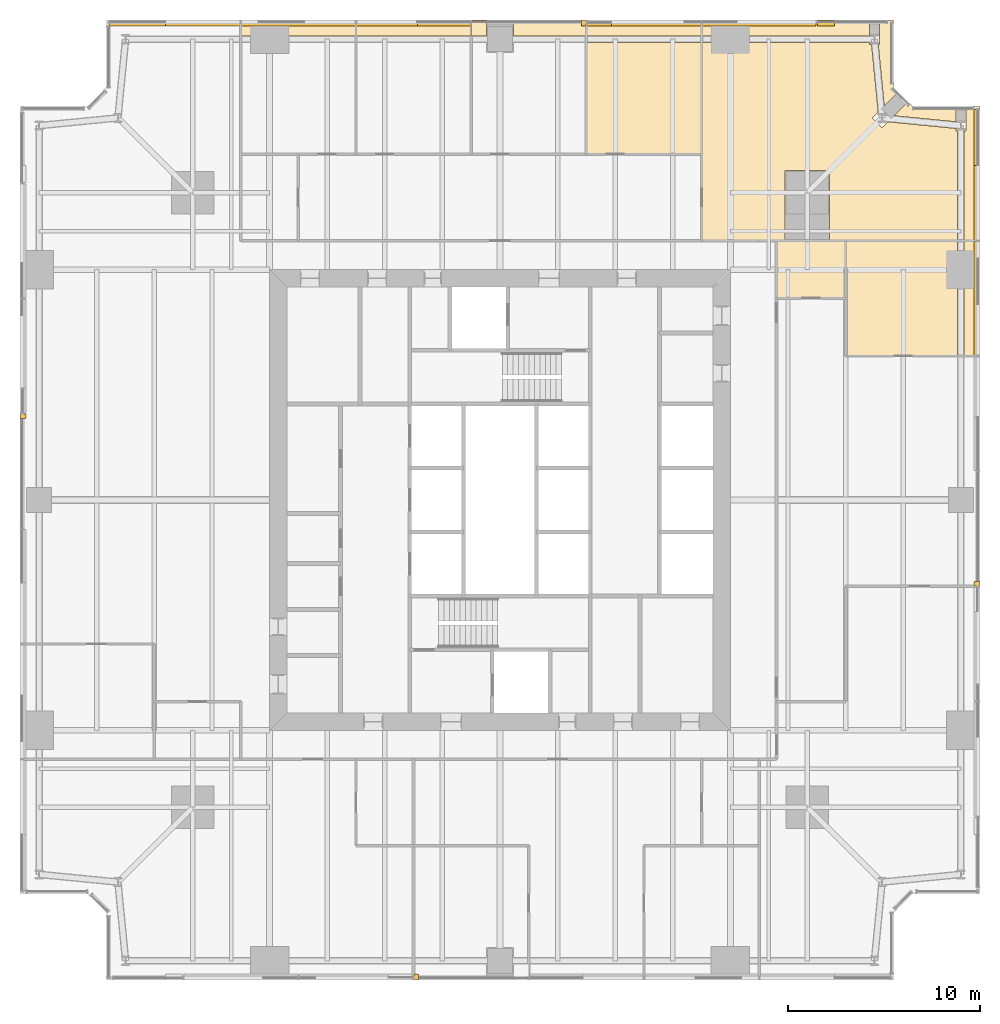
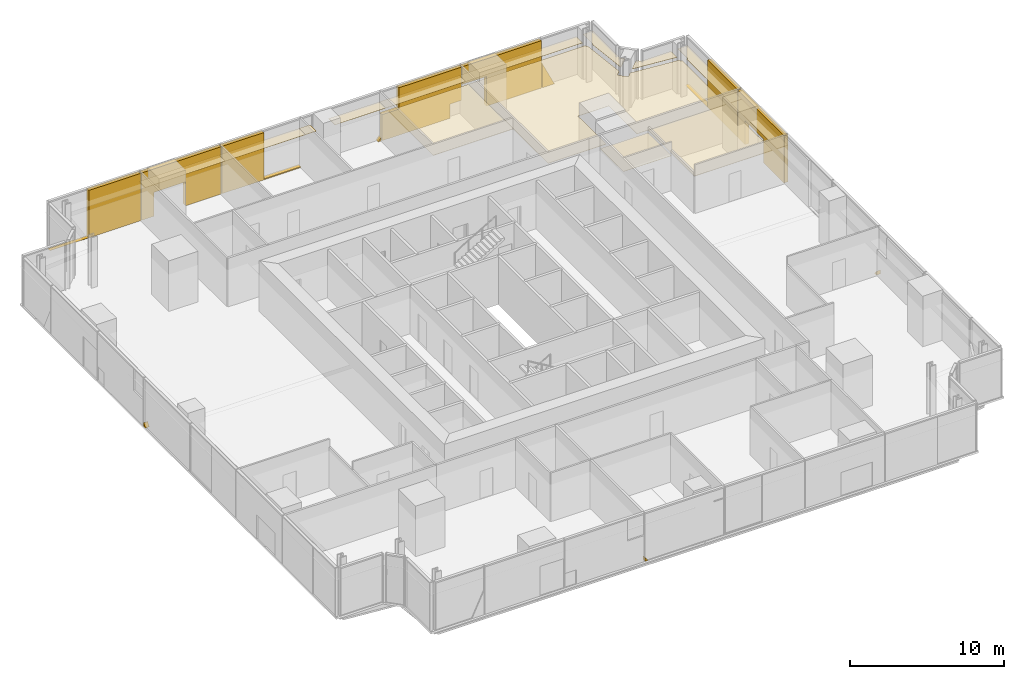
# One storey, part 14 of 14: 26 coverings.
"""IFC4 building model written with IfcOpenShell, lengths in metres."""

import ifcopenshell
import ifcopenshell.guid

model = None  # the IFC model being written
_history = None  # IfcOwnerHistory: only IFC2X3 demands one
_inside = {}  # id of a spatial element -> (the spatial element, [elements in it])
_under = {}  # id of a project, library or spatial element -> (it, [spatial elements below it])
_declared = {}  # id of a project -> (the project, [libraries it declares])
_typed = {}  # id of a type object -> (the type object, [elements of that type])
_made_of = {}  # id of a material, layer set ... -> (it, [elements and type objects made of it])


def new_model(schema):
    """Start an empty IFC model of exactly this schema.

    Asked for "IFC4X3", IfcOpenShell would pick the latest addendum, in which some entities
    have other attributes; the version numbers below select the first issue.
    IFC2X3 requires an IfcOwnerHistory on every rooted entity: one is made here for all.
    """
    global model, _history
    if schema == "IFC4X3":
        model = ifcopenshell.file(schema_version=(4, 3, 0, 0))
    else:
        model = ifcopenshell.file(schema=schema)
    _inside.clear()
    _under.clear()
    _declared.clear()
    _typed.clear()
    _made_of.clear()
    _history = None
    if model.schema == "IFC2X3":
        org = make("IfcOrganization", Name="unknown")
        user = make(
            "IfcPersonAndOrganization",
            ThePerson=make("IfcPerson", FamilyName="unknown"),
            TheOrganization=org,
        )
        app = make(
            "IfcApplication",
            ApplicationDeveloper=org,
            Version="unknown",
            ApplicationFullName="unknown",
            ApplicationIdentifier="unknown",
        )
        _history = make(
            "IfcOwnerHistory",
            OwningUser=user,
            OwningApplication=app,
            ChangeAction="ADDED",
            CreationDate=0,
        )
    return model


def make(cls, **values):
    """One entity of the class cls with the attributes given. An attribute that is None is left unset."""
    return model.create_entity(
        cls, **{name: value for name, value in values.items() if value is not None}
    )


def rooted(cls, **values):
    """An entity with a GlobalId (a new one), such as an element, a storey or a relation."""
    return make(cls, GlobalId=ifcopenshell.guid.new(), OwnerHistory=_history, **values)


def si_unit(unit_type, name, prefix=None):
    """IfcSIUnit, for example si_unit("LENGTHUNIT", "METRE", prefix="MILLI")."""
    return make("IfcSIUnit", UnitType=unit_type, Prefix=prefix, Name=name)


def assignment(units):
    """IfcUnitAssignment: the units of a project."""
    return None if units is None else make("IfcUnitAssignment", Units=units)


def point(xyz):
    """IfcCartesianPoint."""
    return None if xyz is None else make("IfcCartesianPoint", Coordinates=xyz)


def direction(xyz):
    """IfcDirection."""
    return None if xyz is None else make("IfcDirection", DirectionRatios=xyz)


def frame(location, z_axis=None, x_axis=None):
    """IfcAxis2Placement3D, a coordinate frame: its origin and axes. An axis left out is left unset."""
    return make(
        "IfcAxis2Placement3D",
        Location=point(location),
        Axis=direction(z_axis),
        RefDirection=direction(x_axis),
    )


def origin():
    """The frame at (0, 0, 0) with its axes left unset."""
    return frame((0.0, 0.0, 0.0))


def place(relative_to, where):
    """IfcLocalPlacement: puts the frame where relative to a parent placement (None: the world)."""
    return make(
        "IfcLocalPlacement", PlacementRelTo=relative_to, RelativePlacement=where
    )


def context(
    kind, dimensions, precision=None, world=None, true_north=None, identifier=None
):
    """IfcGeometricRepresentationContext, for example the 3D "Model" context."""
    return make(
        "IfcGeometricRepresentationContext",
        ContextIdentifier=identifier,
        ContextType=kind,
        CoordinateSpaceDimension=dimensions,
        Precision=precision,
        WorldCoordinateSystem=world,
        TrueNorth=true_north,
    )


def subcontext(parent, identifier, kind, view, scale=None):
    """IfcGeometricRepresentationSubContext, for example "Body" below "Model"."""
    return make(
        "IfcGeometricRepresentationSubContext",
        ContextIdentifier=identifier,
        ContextType=kind,
        ParentContext=parent,
        TargetScale=scale,
        TargetView=view,
    )


def project(units=None, contexts=None):
    """IfcProject with its units and contexts."""
    return rooted(
        "IfcProject",
        Name="project",
        RepresentationContexts=contexts,
        UnitsInContext=assignment(units),
    )


def spatial(cls, under=None, at=None, **own):
    """A site, building, storey or space (cls), placed at a placement, below another one or the project."""
    s = rooted(cls, ObjectPlacement=at, **own)
    if under is not None:
        _under.setdefault(under.id(), (under, []))[1].append(s)
    return s


def polyline(points):
    """IfcPolyline through the points."""
    return make("IfcPolyline", Points=[point(p) for p in points])


def outline(outer, holes=None, kind="AREA"):
    """IfcArbitraryClosedProfileDef: a profile drawn as a closed curve; with holes, ...WithVoids."""
    if holes is None:
        return make("IfcArbitraryClosedProfileDef", ProfileType=kind, OuterCurve=outer)
    return make(
        "IfcArbitraryProfileDefWithVoids",
        ProfileType=kind,
        OuterCurve=outer,
        InnerCurves=holes,
    )


def extrude(swept, where, along, depth):
    """IfcExtrudedAreaSolid: the profile swept, set in the frame where, extruded along a direction by depth."""
    return make(
        "IfcExtrudedAreaSolid",
        SweptArea=swept,
        Position=where,
        ExtrudedDirection=direction(along),
        Depth=depth,
    )


def shape(context_of_items, identifier, shape_type, items):
    """IfcShapeRepresentation: the items that make up one representation, for example the "Body"."""
    return make(
        "IfcShapeRepresentation",
        ContextOfItems=context_of_items,
        RepresentationIdentifier=identifier,
        RepresentationType=shape_type,
        Items=items,
    )


def material(Name=None, Category=None):
    """IfcMaterial."""
    return make("IfcMaterial", Name=Name, Category=Category)


def layer(
    of_material, thickness, ventilated=None, Name=None, Category=None, Priority=None
):
    """IfcMaterialLayer: one layer of a wall or slab, of a material (None: an air gap)."""
    return make(
        "IfcMaterialLayer",
        Material=of_material,
        LayerThickness=thickness,
        IsVentilated=ventilated,
        Name=Name,
        Category=Category,
        Priority=Priority,
    )


def layer_set(layers, Name=None):
    """IfcMaterialLayerSet."""
    return make("IfcMaterialLayerSet", MaterialLayers=layers, LayerSetName=Name)


def made_of(thing, what):
    """Note that an element or type object is made of a material, layer set ...; save() writes the relation."""
    if what is not None:
        _made_of.setdefault(what.id(), (what, []))[1].append(thing)
    return thing


def type_object(cls, material=None, **own):
    """A type object (cls), such as IfcWallType, which elements share."""
    return made_of(rooted(cls, **own), material)


def element(
    cls,
    number,
    at=None,
    inside=None,
    cuts=None,
    type_object=None,
    material=None,
    context=None,
    identifier="Body",
    shape_type=None,
    held_by="IfcProductDefinitionShape",
    body=None,
    shapes=None,
    **own,
):
    """One element of the class cls, such as IfcWall. Its Tag is "e" and its number.

    at: its placement. inside: the storey or other place that contains it. cuts: it is an
    opening in that element (IfcRelVoidsElement). A single representation is given by context,
    identifier, shape_type and body (its items); several are given by shapes. held_by: the class
    of the entity that holds the representations. save() writes the other relations.
    """
    e = rooted(cls, Tag="e%d" % number, ObjectPlacement=at, **own)
    if body is not None:
        shapes = [shape(context, identifier, shape_type, body)]
    if shapes is not None:
        e.Representation = make(held_by, Representations=shapes)
    if inside is not None:
        _inside.setdefault(inside.id(), (inside, []))[1].append(e)
    if cuts is not None:
        rooted(
            "IfcRelVoidsElement", RelatingBuildingElement=cuts, RelatedOpeningElement=e
        )
    if type_object is not None:
        _typed.setdefault(type_object.id(), (type_object, []))[1].append(e)
    return made_of(e, material)


def aggregate(whole, parts):
    """IfcRelAggregates: a whole, such as a stair, and the parts it consists of."""
    return rooted("IfcRelAggregates", RelatingObject=whole, RelatedObjects=parts)


def save(model, path):
    """Write the relations noted so far, then the file.

    IfcRelAggregates (storeys below a building ...), IfcRelContainedInSpatialStructure (elements
    in a storey), IfcRelDefinesByType, IfcRelAssociatesMaterial and IfcRelDeclares: one each for
    every whole, place, type object, material and project.
    """
    for whole, parts in _under.values():
        aggregate(whole, parts)
    for where, things in _inside.values():
        rooted(
            "IfcRelContainedInSpatialStructure",
            RelatedElements=things,
            RelatingStructure=where,
        )
    for kind, things in _typed.values():
        rooted("IfcRelDefinesByType", RelatedObjects=things, RelatingType=kind)
    for what, things in _made_of.values():
        rooted("IfcRelAssociatesMaterial", RelatedObjects=things, RelatingMaterial=what)
    for by, libraries in _declared.values():
        rooted("IfcRelDeclares", RelatingContext=by, RelatedDefinitions=libraries)
    model.write(path)


model = new_model("IFC4")

# Units and contexts
model_context = context("Model", 3, precision=1e-05, world=origin(), true_north=direction((0.0, 1.0)))
body_context = subcontext(model_context, "Body", "Model", "MODEL_VIEW")
ifc_project = project(units=[si_unit("LENGTHUNIT", "METRE"), si_unit("AREAUNIT", "SQUARE_METRE"), si_unit("VOLUMEUNIT", "CUBIC_METRE"), si_unit("PLANEANGLEUNIT", "RADIAN"), si_unit("MASSUNIT", "GRAM", prefix="KILO")], contexts=[model_context])

# Site, building, storey
site_placement = place(None, origin())
site = spatial("IfcSite", under=ifc_project, at=site_placement, CompositionType="ELEMENT")
building_placement = place(site_placement, origin())
building = spatial("IfcBuilding", under=site, at=building_placement, Name="Fenwick Lantern Interchange", CompositionType="ELEMENT")
storey_placement = place(building_placement, frame((0.0, 0.0, 154.39990234375)))
storey = spatial("IfcBuildingStorey", under=building, at=storey_placement, Name="L36", CompositionType="ELEMENT", Elevation=154.39990234375)

# Coverings
ifc_material_1 = material(Name="Mineral fibre acoustic tile on suspended grid")
ifc_layer_1 = layer(ifc_material_1, 0.02001953125)
ifc_layer_set_1 = layer_set([ifc_layer_1], Name="ACOUSTIC TILE CEILING 20")
covering_type_1 = type_object("IfcCoveringType", Name="ACOUSTIC TILE CEILING 20", PredefinedType="CEILING", material=ifc_layer_set_1)
covering_1_placement = place(storey_placement, frame((0.0, 0.0, 2.900146484375)))
element("IfcCovering", 1, at=covering_1_placement, inside=storey, type_object=covering_type_1, Name="Office ceiling", PredefinedType="CEILING", context=body_context, shape_type="SweptSolid", body=[
    extrude(outline(polyline([(43.0, 32.5), (48.82763671875, 32.5), (48.82763671875, 37.0), (48.82763671875, 38.5), (43.0, 38.5), (43.0, 32.5)])), origin(), (0.0, 0.0, 1.0), 0.02001953125),
])
covering_2_placement = place(storey_placement, frame((0.0, 0.0, 2.900146484375)))
element("IfcCovering", 2, at=covering_2_placement, inside=storey, type_object=covering_type_1, Name="Office ceiling", PredefinedType="CEILING", context=body_context, shape_type="SweptSolid", body=[
    extrude(outline(polyline([(50.0, 38.5), (49.17236328125, 38.5), (49.17236328125, 37.0), (49.17236328125, 32.5), (50.0, 32.5), (50.0, 38.5)])), origin(), (0.0, 0.0, 1.0), 0.02001953125),
])
covering_3_placement = place(storey_placement, frame((0.0, 0.0, 2.900146484375)))
element("IfcCovering", 3, at=covering_3_placement, inside=storey, type_object=covering_type_1, Name="Office ceiling", PredefinedType="CEILING", context=body_context, shape_type="SweptSolid", body=[
    extrude(outline(polyline([(48.82763671875, 44.21240234375), (48.73779296875, 44.21240234375), (48.73779296875, 44.352294921875), (45.21630859375, 44.696044921875), (44.89990234375, 44.379638671875), (44.379638671875, 44.89990234375), (44.696044921875, 45.21630859375), (44.354736328125, 48.71240234375), (44.23779296875, 48.71240234375), (44.23779296875, 48.82763671875), (37.0, 48.82763671875), (35.5, 48.82763671875), (35.5, 38.5), (39.85009765625, 38.5), (39.85009765625, 42.14990234375), (42.14990234375, 42.14990234375), (42.14990234375, 38.5), (48.82763671875, 38.5), (48.82763671875, 44.21240234375)])), origin(), (0.0, 0.0, 1.0), 0.02001953125),
])
covering_4_placement = place(storey_placement, frame((0.0, 0.0, 2.900146484375)))
element("IfcCovering", 4, at=covering_4_placement, inside=storey, type_object=covering_type_1, Name="Office ceiling", PredefinedType="CEILING", context=body_context, shape_type="SweptSolid", body=[
    extrude(outline(polyline([(35.5, 50.0), (35.5, 49.17236328125), (37.0, 49.17236328125), (44.23779296875, 49.17236328125), (44.23779296875, 50.0), (35.5, 50.0)])), origin(), (0.0, 0.0, 1.0), 0.02001953125),
])
covering_5_placement = place(storey_placement, frame((0.0, 0.0, 2.900146484375)))
element("IfcCovering", 5, at=covering_5_placement, inside=storey, type_object=covering_type_1, Name="Office ceiling", PredefinedType="CEILING", context=body_context, shape_type="SweptSolid", body=[
    extrude(outline(polyline([(49.26220703125, 44.21240234375), (49.17236328125, 44.21240234375), (49.17236328125, 38.5), (50.0, 38.5), (50.0, 45.5), (49.26220703125, 45.5), (49.26220703125, 44.21240234375)])), origin(), (0.0, 0.0, 1.0), 0.02001953125),
])
covering_6_placement = place(storey_placement, frame((0.0, 0.0, 2.900146484375)))
element("IfcCovering", 6, at=covering_6_placement, inside=storey, type_object=covering_type_1, Name="Office ceiling", PredefinedType="CEILING", context=body_context, shape_type="SweptSolid", body=[
    extrude(outline(polyline([(44.76220703125, 48.71240234375), (44.701171875, 48.71240234375), (45.011474609375, 45.531982421875), (45.73974609375, 46.26025390625), (45.5, 46.5), (45.5, 50.0), (44.76220703125, 50.0), (44.76220703125, 48.71240234375)])), origin(), (0.0, 0.0, 1.0), 0.02001953125),
])
covering_7_placement = place(storey_placement, frame((0.0, 0.0, 2.900146484375)))
element("IfcCovering", 7, at=covering_7_placement, inside=storey, type_object=covering_type_1, Name="Office ceiling", PredefinedType="CEILING", context=body_context, shape_type="SweptSolid", body=[
    extrude(outline(polyline([(46.26025390625, 45.73974609375), (45.531982421875, 45.011474609375), (48.73779296875, 44.69873046875), (48.73779296875, 45.5), (46.5, 45.5), (46.26025390625, 45.73974609375)])), origin(), (0.0, 0.0, 1.0), 0.02001953125),
])
covering_8_placement = place(storey_placement, frame((0.0, 0.0, 2.900146484375)))
element("IfcCovering", 8, at=covering_8_placement, inside=storey, type_object=covering_type_1, Name="Office ceiling", PredefinedType="CEILING", context=body_context, shape_type="SweptSolid", body=[
    extrude(outline(polyline([(35.5, 43.0), (35.5, 48.82763671875), (29.5, 48.82763671875), (29.5, 43.0), (35.5, 43.0)])), origin(), (0.0, 0.0, 1.0), 0.02001953125),
])
covering_9_placement = place(storey_placement, frame((0.0, 0.0, 2.900146484375)))
element("IfcCovering", 9, at=covering_9_placement, inside=storey, type_object=covering_type_1, Name="Office ceiling", PredefinedType="CEILING", context=body_context, shape_type="SweptSolid", body=[
    extrude(outline(polyline([(29.5, 50.0), (29.5, 49.17236328125), (35.5, 49.17236328125), (35.5, 50.0), (29.5, 50.0)])), origin(), (0.0, 0.0, 1.0), 0.02001953125),
])
covering_10_placement = place(storey_placement, frame((0.0, 0.0, 2.900146484375)))
element("IfcCovering", 10, at=covering_10_placement, inside=storey, type_object=covering_type_1, Name="Office ceiling", PredefinedType="CEILING", context=body_context, shape_type="SweptSolid", body=[
    extrude(outline(polyline([(29.5, 49.17236328125), (29.5, 50.0), (25.699951171875, 50.0), (25.699951171875, 49.17236328125), (29.5, 49.17236328125)])), origin(), (0.0, 0.0, 1.0), 0.02001953125),
])
covering_11_placement = place(storey_placement, frame((0.0, 0.0, 2.900146484375)))
element("IfcCovering", 11, at=covering_11_placement, inside=storey, type_object=covering_type_1, Name="Office ceiling", PredefinedType="CEILING", context=body_context, shape_type="SweptSolid", body=[
    extrude(outline(polyline([(23.5, 50.0), (23.5, 49.17236328125), (24.300048828125, 49.17236328125), (24.300048828125, 50.0), (23.5, 50.0)])), origin(), (0.0, 0.0, 1.0), 0.02001953125),
])
covering_12_placement = place(storey_placement, frame((0.0, 0.0, 2.900146484375)))
element("IfcCovering", 12, at=covering_12_placement, inside=storey, type_object=covering_type_1, Name="Office ceiling", PredefinedType="CEILING", context=body_context, shape_type="SweptSolid", body=[
    extrude(outline(polyline([(17.5, 50.0), (17.5, 49.17236328125), (23.5, 49.17236328125), (23.5, 50.0), (17.5, 50.0)])), origin(), (0.0, 0.0, 1.0), 0.02001953125),
])
covering_13_placement = place(storey_placement, frame((0.0, 0.0, 2.900146484375)))
element("IfcCovering", 13, at=covering_13_placement, inside=storey, type_object=covering_type_1, Name="Office ceiling", PredefinedType="CEILING", context=body_context, shape_type="SweptSolid", body=[
    extrude(outline(polyline([(11.5, 50.0), (11.5, 49.17236328125), (13.0, 49.17236328125), (17.5, 49.17236328125), (17.5, 50.0), (11.5, 50.0)])), origin(), (0.0, 0.0, 1.0), 0.02001953125),
])
ifc_material_2 = material(Name="Granite cladding, warm grey flamed finish, on aluminium carrier frame", Category="masonry")
ifc_layer_2 = layer(ifc_material_2, 0.300048828125)
ifc_layer_set_2 = layer_set([ifc_layer_2], Name="BRACE CASING PANEL 300")
covering_type_2 = type_object("IfcCoveringType", Name="BRACE CASING PANEL 300", PredefinedType="CLADDING", material=ifc_layer_set_2)
for number, where, z_axis, x_axis, name in (
    (14, (4.60009765625, 0.10009765625, 0.0), (0.0, 0.0, 1.0), (1.0, 0.0, 0.0), "Brace casing 01 bay 03a"),
    (15, (49.89990234375, 4.60009765625, 0.0), (0.0, 0.0, 1.0), (0.0, 1.0, 0.0), "Brace casing 05 bay 03a"),
):
    element("IfcCovering", number, at=place(storey_placement, frame(where, z_axis=z_axis, x_axis=x_axis)), inside=storey, type_object=covering_type_2, Name=name, PredefinedType="CLADDING", context=body_context, shape_type="SweptSolid", body=[
        extrude(outline(polyline([(15.9326171875, 0.0), (16.154541015625, 0.0), (15.9326171875, 0.294189453125), (15.9326171875, 0.0)])), frame((0.0, 0.2001953125, 0.0), z_axis=(0.0, -1.0, 0.0), x_axis=(1.0, 0.0, 0.0)), (0.0, 0.0, 1.0), 0.300048828125),
    ])
covering_14_placement = place(storey_placement, frame((49.89990234375, 4.60009765625, 0.0), z_axis=(0.0, 0.0, 1.0), x_axis=(0.0, 1.0, 0.0)))
element("IfcCovering", 16, at=covering_14_placement, inside=storey, type_object=covering_type_2, Name="Brace casing 05 bay 05a", PredefinedType="CLADDING", context=body_context, shape_type="SweptSolid", body=[
    extrude(outline(polyline([(27.9326171875, 0.0), (30.587158203125, 0.0), (30.587158203125, 1.89306640625), (32.9521484375, 1.89306640625), (32.9521484375, 0.0), (33.867431640625, 0.0), (33.867431640625, 3.75), (27.9326171875, 3.75), (27.9326171875, 0.0)])), frame((0.0, 0.2001953125, 0.0), z_axis=(0.0, -1.0, 0.0), x_axis=(1.0, 0.0, 0.0)), (0.0, 0.0, 1.0), 0.300048828125),
])
covering_15_placement = place(storey_placement, frame((49.89990234375, 4.60009765625, 0.0), z_axis=(0.0, 0.0, 1.0), x_axis=(0.0, 1.0, 0.0)))
element("IfcCovering", 17, at=covering_15_placement, inside=storey, type_object=covering_type_2, Name="Brace casing 05 bay 06a", PredefinedType="CLADDING", context=body_context, shape_type="SweptSolid", body=[
    extrude(outline(polyline([(33.9326171875, 0.0), (40.735107421875, 0.0), (40.735107421875, 0.001220703125), (37.82666015625, 0.001220703125), (37.82666015625, 3.75), (33.9326171875, 3.75), (33.9326171875, 0.0)])), frame((0.0, 0.2001953125, 0.0), z_axis=(0.0, -1.0, 0.0), x_axis=(1.0, 0.0, 0.0)), (0.0, 0.0, 1.0), 0.300048828125),
])
covering_16_placement = place(storey_placement, frame((45.39990234375, 49.89990234375, 0.0), z_axis=(0.0, 0.0, 1.0), x_axis=(-1.0, 0.0, 0.0)))
element("IfcCovering", 18, at=covering_16_placement, inside=storey, type_object=covering_type_2, Name="Brace casing 09 bay 00a", PredefinedType="CLADDING", context=body_context, shape_type="SweptSolid", body=[
    extrude(outline(polyline([(2.97265625, 0.0), (3.867431640625, 0.0), (3.867431640625, 1.895263671875), (2.97265625, 0.0)])), frame((0.0, 0.2001953125, 0.0), z_axis=(0.0, -1.0, 0.0), x_axis=(1.0, 0.0, 0.0)), (0.0, 0.0, 1.0), 0.300048828125),
])
covering_17_placement = place(storey_placement, frame((45.39990234375, 49.89990234375, 0.0), z_axis=(0.0, 0.0, 1.0), x_axis=(-1.0, 0.0, 0.0)))
element("IfcCovering", 19, at=covering_17_placement, inside=storey, type_object=covering_type_2, Name="Brace casing 09 bay 01a", PredefinedType="CLADDING", context=body_context, shape_type="SweptSolid", body=[
    extrude(outline(polyline([(3.9326171875, 0.0), (8.063720703125, 0.0), (8.063720703125, 2.350341796875), (9.867431640625, 2.350341796875), (9.867431640625, 3.75), (3.9326171875, 3.75), (3.9326171875, 0.0)])), frame((0.0, 0.2001953125, 0.0), z_axis=(0.0, -1.0, 0.0), x_axis=(1.0, 0.0, 0.0)), (0.0, 0.0, 1.0), 0.300048828125),
])
covering_18_placement = place(storey_placement, frame((45.39990234375, 49.89990234375, 0.0), z_axis=(0.0, 0.0, 1.0), x_axis=(-1.0, 0.0, 0.0)))
element("IfcCovering", 20, at=covering_18_placement, inside=storey, type_object=covering_type_2, Name="Brace casing 09 bay 02a", PredefinedType="CLADDING", context=body_context, shape_type="SweptSolid", body=[
    extrude(outline(polyline([(10.78759765625, 0.0), (15.867431640625, 0.0), (15.867431640625, 2.062255859375), (14.5966796875, 2.062255859375), (14.5966796875, 3.75), (9.9326171875, 3.75), (9.9326171875, 1.13232421875), (10.78759765625, 1.13232421875), (10.78759765625, 0.0)])), frame((0.0, 0.2001953125, 0.0), z_axis=(0.0, -1.0, 0.0), x_axis=(1.0, 0.0, 0.0)), (0.0, 0.0, 1.0), 0.300048828125),
])
covering_19_placement = place(storey_placement, frame((45.39990234375, 49.89990234375, 0.0), z_axis=(0.0, 0.0, 1.0), x_axis=(-1.0, 0.0, 0.0)))
element("IfcCovering", 21, at=covering_19_placement, inside=storey, type_object=covering_type_2, Name="Brace casing 09 bay 03a", PredefinedType="CLADDING", context=body_context, shape_type="SweptSolid", body=[
    extrude(outline(polyline([(15.9326171875, 0.0), (16.154541015625, 0.0), (15.9326171875, 0.294189453125), (15.9326171875, 0.0)])), frame((0.0, 0.2001953125, 0.0), z_axis=(0.0, -1.0, 0.0), x_axis=(1.0, 0.0, 0.0)), (0.0, 0.0, 1.0), 0.300048828125),
])
covering_20_placement = place(storey_placement, frame((45.39990234375, 49.89990234375, 0.0), z_axis=(0.0, 0.0, 1.0), x_axis=(-1.0, 0.0, 0.0)))
element("IfcCovering", 22, at=covering_20_placement, inside=storey, type_object=covering_type_2, Name="Brace casing 09 bay 04a", PredefinedType="CLADDING", context=body_context, shape_type="SweptSolid", body=[
    extrude(outline(polyline([(21.9326171875, 0.0), (27.867431640625, 0.0), (27.867431640625, 3.75), (24.70751953125, 3.75), (24.70751953125, 0.082275390625), (21.9326171875, 0.082275390625), (21.9326171875, 0.0)])), frame((0.0, 0.2001953125, 0.0), z_axis=(0.0, -1.0, 0.0), x_axis=(1.0, 0.0, 0.0)), (0.0, 0.0, 1.0), 0.300048828125),
])
covering_21_placement = place(storey_placement, frame((45.39990234375, 49.89990234375, 0.0), z_axis=(0.0, 0.0, 1.0), x_axis=(-1.0, 0.0, 0.0)))
element("IfcCovering", 23, at=covering_21_placement, inside=storey, type_object=covering_type_2, Name="Brace casing 09 bay 05a", PredefinedType="CLADDING", context=body_context, shape_type="SweptSolid", body=[
    extrude(outline(polyline([(27.9326171875, 0.0), (30.587158203125, 0.0), (30.587158203125, 1.89306640625), (32.9521484375, 1.89306640625), (32.9521484375, 0.0), (33.867431640625, 0.0), (33.867431640625, 3.75), (27.9326171875, 3.75), (27.9326171875, 0.0)])), frame((0.0, 0.2001953125, 0.0), z_axis=(0.0, -1.0, 0.0), x_axis=(1.0, 0.0, 0.0)), (0.0, 0.0, 1.0), 0.300048828125),
])
covering_22_placement = place(storey_placement, frame((45.39990234375, 49.89990234375, 0.0), z_axis=(0.0, 0.0, 1.0), x_axis=(-1.0, 0.0, 0.0)))
element("IfcCovering", 24, at=covering_22_placement, inside=storey, type_object=covering_type_2, Name="Brace casing 09 bay 06a", PredefinedType="CLADDING", context=body_context, shape_type="SweptSolid", body=[
    extrude(outline(polyline([(33.9326171875, 0.0), (40.735107421875, 0.0), (40.735107421875, 0.001220703125), (37.82666015625, 0.001220703125), (37.82666015625, 3.75), (33.9326171875, 3.75), (33.9326171875, 0.0)])), frame((0.0, 0.2001953125, 0.0), z_axis=(0.0, -1.0, 0.0), x_axis=(1.0, 0.0, 0.0)), (0.0, 0.0, 1.0), 0.300048828125),
])
covering_23_placement = place(storey_placement, frame((0.10009765625, 45.39990234375, 0.0), z_axis=(0.0, 0.0, 1.0), x_axis=(0.0, -1.0, 0.0)))
element("IfcCovering", 25, at=covering_23_placement, inside=storey, type_object=covering_type_2, Name="Brace casing 13 bay 03a", PredefinedType="CLADDING", context=body_context, shape_type="SweptSolid", body=[
    extrude(outline(polyline([(15.9326171875, 0.0), (16.154541015625, 0.0), (15.9326171875, 0.294189453125), (15.9326171875, 0.0)])), frame((0.0, 0.2001953125, 0.0), z_axis=(0.0, -1.0, 0.0), x_axis=(1.0, 0.0, 0.0)), (0.0, 0.0, 1.0), 0.300048828125),
])
ifc_material_3 = material(Name="Moisture resistant gypsum board on suspended frame, painted")
ifc_layer_3 = layer(ifc_material_3, 0.014892578125)
ifc_layer_set_3 = layer_set([ifc_layer_3], Name="MOISTURE RESISTANT CEILING 15")
covering_type_3 = type_object("IfcCoveringType", Name="MOISTURE RESISTANT CEILING 15", PredefinedType="CEILING", material=ifc_layer_set_3)
covering_24_placement = place(storey_placement, frame((0.0, 0.0, 2.7001953125)))
element("IfcCovering", 26, at=covering_24_placement, inside=storey, type_object=covering_type_3, Name="Pantry ceiling", PredefinedType="CEILING", context=body_context, shape_type="SweptSolid", body=[
    extrude(outline(polyline([(43.0, 35.5), (43.0, 38.5), (39.39990234375, 38.5), (39.39990234375, 35.5), (43.0, 35.5)])), origin(), (0.0, 0.0, 1.0), 0.014892578125),
])

save(model, "model.ifc")
